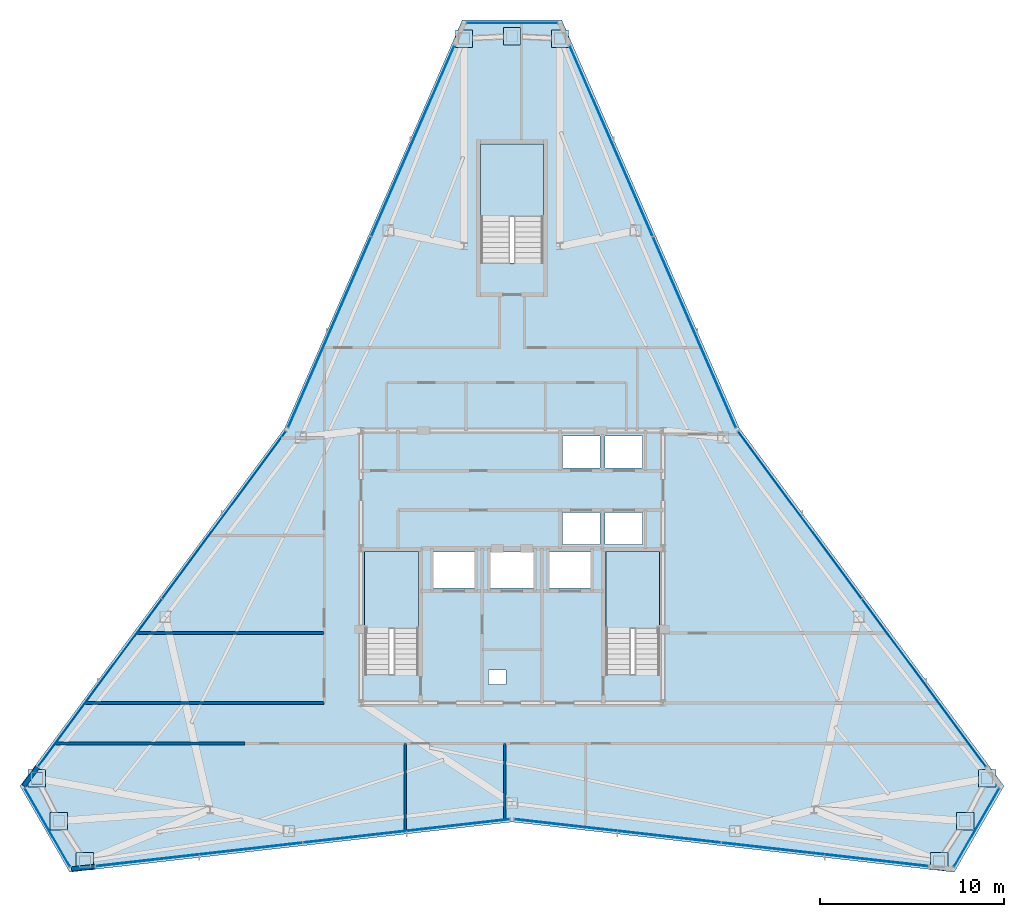
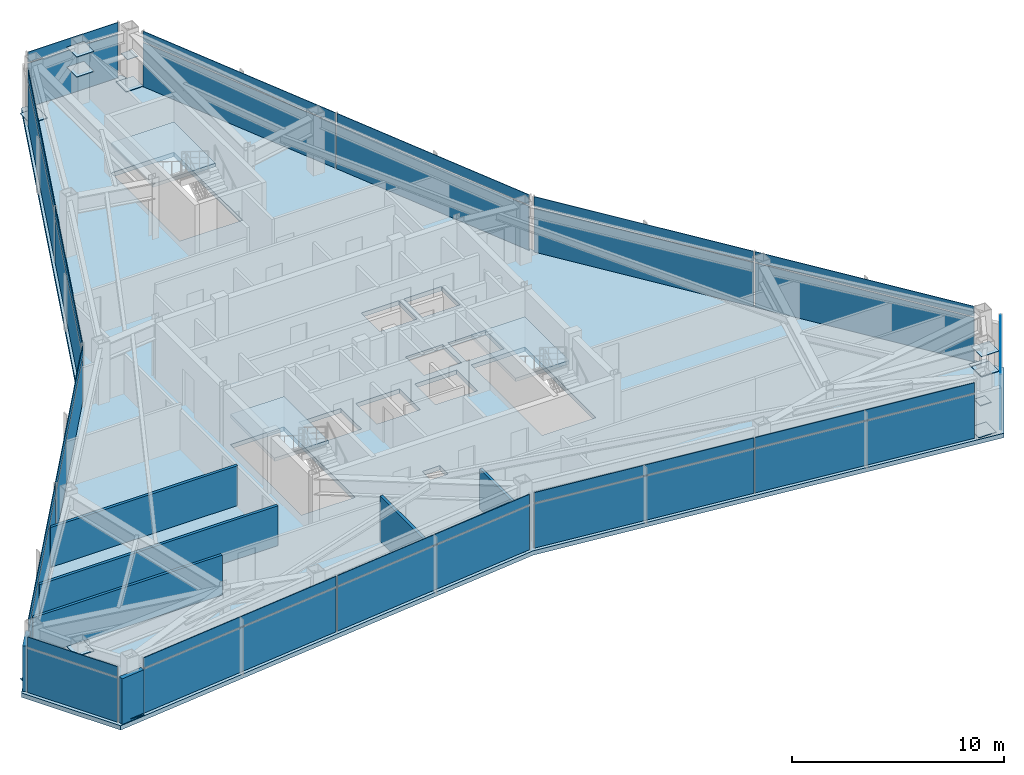
# One storey, part 8 of 12: 45 plates, 7 walls, 4 slabs, 12 elements without a shape of their own.
"""IFC4 building model written with IfcOpenShell, lengths in metres."""

import ifcopenshell
import ifcopenshell.guid

model = None  # the IFC model being written
_history = None  # IfcOwnerHistory: only IFC2X3 demands one
_inside = {}  # id of a spatial element -> (the spatial element, [elements in it])
_under = {}  # id of a project, library or spatial element -> (it, [spatial elements below it])
_declared = {}  # id of a project -> (the project, [libraries it declares])
_typed = {}  # id of a type object -> (the type object, [elements of that type])
_made_of = {}  # id of a material, layer set ... -> (it, [elements and type objects made of it])


def new_model(schema):
    """Start an empty IFC model of exactly this schema.

    Asked for "IFC4X3", IfcOpenShell would pick the latest addendum, in which some entities
    have other attributes; the version numbers below select the first issue.
    IFC2X3 requires an IfcOwnerHistory on every rooted entity: one is made here for all.
    """
    global model, _history
    if schema == "IFC4X3":
        model = ifcopenshell.file(schema_version=(4, 3, 0, 0))
    else:
        model = ifcopenshell.file(schema=schema)
    _inside.clear()
    _under.clear()
    _declared.clear()
    _typed.clear()
    _made_of.clear()
    _history = None
    if model.schema == "IFC2X3":
        org = make("IfcOrganization", Name="unknown")
        user = make(
            "IfcPersonAndOrganization",
            ThePerson=make("IfcPerson", FamilyName="unknown"),
            TheOrganization=org,
        )
        app = make(
            "IfcApplication",
            ApplicationDeveloper=org,
            Version="unknown",
            ApplicationFullName="unknown",
            ApplicationIdentifier="unknown",
        )
        _history = make(
            "IfcOwnerHistory",
            OwningUser=user,
            OwningApplication=app,
            ChangeAction="ADDED",
            CreationDate=0,
        )
    return model


def make(cls, **values):
    """One entity of the class cls with the attributes given. An attribute that is None is left unset."""
    return model.create_entity(
        cls, **{name: value for name, value in values.items() if value is not None}
    )


def rooted(cls, **values):
    """An entity with a GlobalId (a new one), such as an element, a storey or a relation."""
    return make(cls, GlobalId=ifcopenshell.guid.new(), OwnerHistory=_history, **values)


def si_unit(unit_type, name, prefix=None):
    """IfcSIUnit, for example si_unit("LENGTHUNIT", "METRE", prefix="MILLI")."""
    return make("IfcSIUnit", UnitType=unit_type, Prefix=prefix, Name=name)


def assignment(units):
    """IfcUnitAssignment: the units of a project."""
    return None if units is None else make("IfcUnitAssignment", Units=units)


def point(xyz):
    """IfcCartesianPoint."""
    return None if xyz is None else make("IfcCartesianPoint", Coordinates=xyz)


def direction(xyz):
    """IfcDirection."""
    return None if xyz is None else make("IfcDirection", DirectionRatios=xyz)


def frame(location, z_axis=None, x_axis=None):
    """IfcAxis2Placement3D, a coordinate frame: its origin and axes. An axis left out is left unset."""
    return make(
        "IfcAxis2Placement3D",
        Location=point(location),
        Axis=direction(z_axis),
        RefDirection=direction(x_axis),
    )


def frame_2d(location, x_axis=None):
    """IfcAxis2Placement2D, a coordinate frame in the plane: its origin and x axis."""
    return make(
        "IfcAxis2Placement2D", Location=point(location), RefDirection=direction(x_axis)
    )


def origin():
    """The frame at (0, 0, 0) with its axes left unset."""
    return frame((0.0, 0.0, 0.0))


def origin_2d():
    """The frame at (0, 0) in the plane with its x axis left unset."""
    return frame_2d((0.0, 0.0))


def place(relative_to, where):
    """IfcLocalPlacement: puts the frame where relative to a parent placement (None: the world)."""
    return make(
        "IfcLocalPlacement", PlacementRelTo=relative_to, RelativePlacement=where
    )


def context(
    kind, dimensions, precision=None, world=None, true_north=None, identifier=None
):
    """IfcGeometricRepresentationContext, for example the 3D "Model" context."""
    return make(
        "IfcGeometricRepresentationContext",
        ContextIdentifier=identifier,
        ContextType=kind,
        CoordinateSpaceDimension=dimensions,
        Precision=precision,
        WorldCoordinateSystem=world,
        TrueNorth=true_north,
    )


def subcontext(parent, identifier, kind, view, scale=None):
    """IfcGeometricRepresentationSubContext, for example "Body" below "Model"."""
    return make(
        "IfcGeometricRepresentationSubContext",
        ContextIdentifier=identifier,
        ContextType=kind,
        ParentContext=parent,
        TargetScale=scale,
        TargetView=view,
    )


def project(units=None, contexts=None):
    """IfcProject with its units and contexts."""
    return rooted(
        "IfcProject",
        Name="project",
        RepresentationContexts=contexts,
        UnitsInContext=assignment(units),
    )


def spatial(cls, under=None, at=None, **own):
    """A site, building, storey or space (cls), placed at a placement, below another one or the project."""
    s = rooted(cls, ObjectPlacement=at, **own)
    if under is not None:
        _under.setdefault(under.id(), (under, []))[1].append(s)
    return s


def polyline(points):
    """IfcPolyline through the points."""
    return make("IfcPolyline", Points=[point(p) for p in points])


def profile(cls, at=None, kind="AREA", **sizes):
    """A parametric profile (cls). Its sizes go by their IFC names, for example OverallWidth=200.0."""
    return make(cls, ProfileType=kind, Position=at, **sizes)


def rectangle(**sizes):
    """IfcRectangleProfileDef."""
    return profile("IfcRectangleProfileDef", **sizes)


def outline(outer, holes=None, kind="AREA"):
    """IfcArbitraryClosedProfileDef: a profile drawn as a closed curve; with holes, ...WithVoids."""
    if holes is None:
        return make("IfcArbitraryClosedProfileDef", ProfileType=kind, OuterCurve=outer)
    return make(
        "IfcArbitraryProfileDefWithVoids",
        ProfileType=kind,
        OuterCurve=outer,
        InnerCurves=holes,
    )


def extrude(swept, where, along, depth):
    """IfcExtrudedAreaSolid: the profile swept, set in the frame where, extruded along a direction by depth."""
    return make(
        "IfcExtrudedAreaSolid",
        SweptArea=swept,
        Position=where,
        ExtrudedDirection=direction(along),
        Depth=depth,
    )


def shape(context_of_items, identifier, shape_type, items):
    """IfcShapeRepresentation: the items that make up one representation, for example the "Body"."""
    return make(
        "IfcShapeRepresentation",
        ContextOfItems=context_of_items,
        RepresentationIdentifier=identifier,
        RepresentationType=shape_type,
        Items=items,
    )


def source(mapping_origin, context_of_items, identifier, shape_type, items):
    """IfcRepresentationMap: a shape defined once, which mapped items show again and again."""
    return make(
        "IfcRepresentationMap",
        MappingOrigin=mapping_origin,
        MappedRepresentation=shape(context_of_items, identifier, shape_type, items),
    )


def transform(
    local_origin,
    x_axis=None,
    y_axis=None,
    z_axis=None,
    scale=None,
    scale2=None,
    scale3=None,
    uniform=True,
):
    """IfcCartesianTransformationOperator3D, or its non-uniform kind. x_axis, y_axis, z_axis: its Axis1, 2, 3."""
    if uniform:
        return make(
            "IfcCartesianTransformationOperator3D",
            Axis1=direction(x_axis),
            Axis2=direction(y_axis),
            LocalOrigin=point(local_origin),
            Scale=scale,
            Axis3=direction(z_axis),
        )
    return make(
        "IfcCartesianTransformationOperator3DnonUniform",
        Axis1=direction(x_axis),
        Axis2=direction(y_axis),
        LocalOrigin=point(local_origin),
        Scale=scale,
        Axis3=direction(z_axis),
        Scale2=scale2,
        Scale3=scale3,
    )


def mapped(mapping_source, mapping_target):
    """IfcMappedItem: shows the shape of a source again, moved by a transform."""
    return make(
        "IfcMappedItem", MappingSource=mapping_source, MappingTarget=mapping_target
    )


def material(Name=None, Category=None):
    """IfcMaterial."""
    return make("IfcMaterial", Name=Name, Category=Category)


def layer(
    of_material, thickness, ventilated=None, Name=None, Category=None, Priority=None
):
    """IfcMaterialLayer: one layer of a wall or slab, of a material (None: an air gap)."""
    return make(
        "IfcMaterialLayer",
        Material=of_material,
        LayerThickness=thickness,
        IsVentilated=ventilated,
        Name=Name,
        Category=Category,
        Priority=Priority,
    )


def layer_set(layers, Name=None):
    """IfcMaterialLayerSet."""
    return make("IfcMaterialLayerSet", MaterialLayers=layers, LayerSetName=Name)


def made_of(thing, what):
    """Note that an element or type object is made of a material, layer set ...; save() writes the relation."""
    if what is not None:
        _made_of.setdefault(what.id(), (what, []))[1].append(thing)
    return thing


def type_object(cls, material=None, **own):
    """A type object (cls), such as IfcWallType, which elements share."""
    return made_of(rooted(cls, **own), material)


def type_shapes(of_type, sources):
    """Give a type object the sources (RepresentationMaps) that its elements show as mapped items."""
    of_type.RepresentationMaps = sources


def element(
    cls,
    number,
    at=None,
    inside=None,
    cuts=None,
    type_object=None,
    material=None,
    context=None,
    identifier="Body",
    shape_type=None,
    held_by="IfcProductDefinitionShape",
    body=None,
    shapes=None,
    **own,
):
    """One element of the class cls, such as IfcWall. Its Tag is "e" and its number.

    at: its placement. inside: the storey or other place that contains it. cuts: it is an
    opening in that element (IfcRelVoidsElement). A single representation is given by context,
    identifier, shape_type and body (its items); several are given by shapes. held_by: the class
    of the entity that holds the representations. save() writes the other relations.
    """
    e = rooted(cls, Tag="e%d" % number, ObjectPlacement=at, **own)
    if body is not None:
        shapes = [shape(context, identifier, shape_type, body)]
    if shapes is not None:
        e.Representation = make(held_by, Representations=shapes)
    if inside is not None:
        _inside.setdefault(inside.id(), (inside, []))[1].append(e)
    if cuts is not None:
        rooted(
            "IfcRelVoidsElement", RelatingBuildingElement=cuts, RelatedOpeningElement=e
        )
    if type_object is not None:
        _typed.setdefault(type_object.id(), (type_object, []))[1].append(e)
    return made_of(e, material)


def aggregate(whole, parts):
    """IfcRelAggregates: a whole, such as a stair, and the parts it consists of."""
    return rooted("IfcRelAggregates", RelatingObject=whole, RelatedObjects=parts)


def save(model, path):
    """Write the relations noted so far, then the file.

    IfcRelAggregates (storeys below a building ...), IfcRelContainedInSpatialStructure (elements
    in a storey), IfcRelDefinesByType, IfcRelAssociatesMaterial and IfcRelDeclares: one each for
    every whole, place, type object, material and project.
    """
    for whole, parts in _under.values():
        aggregate(whole, parts)
    for where, things in _inside.values():
        rooted(
            "IfcRelContainedInSpatialStructure",
            RelatedElements=things,
            RelatingStructure=where,
        )
    for kind, things in _typed.values():
        rooted("IfcRelDefinesByType", RelatedObjects=things, RelatingType=kind)
    for what, things in _made_of.values():
        rooted("IfcRelAssociatesMaterial", RelatedObjects=things, RelatingMaterial=what)
    for by, libraries in _declared.values():
        rooted("IfcRelDeclares", RelatingContext=by, RelatedDefinitions=libraries)
    model.write(path)


model = new_model("IFC4")

# Units and contexts
model_context = context("Model", 3, precision=1e-05, world=origin(), true_north=direction((0.0, 1.0)))
body_context = subcontext(model_context, "Body", "Model", "MODEL_VIEW")
ifc_project = project(units=[si_unit("LENGTHUNIT", "METRE"), si_unit("AREAUNIT", "SQUARE_METRE"), si_unit("VOLUMEUNIT", "CUBIC_METRE"), si_unit("PLANEANGLEUNIT", "RADIAN"), si_unit("MASSUNIT", "GRAM", prefix="KILO")], contexts=[model_context])

# Site, building, storey
site_placement = place(None, origin())
site = spatial("IfcSite", under=ifc_project, at=site_placement, CompositionType="ELEMENT")
building_placement = place(site_placement, origin())
building = spatial("IfcBuilding", under=site, at=building_placement, Name="Varakhsha Concourse Tower", CompositionType="ELEMENT")
storey_placement = place(building_placement, frame((0.0, 0.0, 276.0)))
storey = spatial("IfcBuildingStorey", under=building, at=storey_placement, Name="L78", CompositionType="ELEMENT", Elevation=276.0)

# Slab
ifc_material_1 = material(Name="Concrete fc 45 MPa", Category="concrete")
ifc_layer_1 = layer(ifc_material_1, 0.25, Name="SL-FLR-250")
ifc_layer_set_1 = layer_set([ifc_layer_1], Name="Concrete fc 45 MPa")
slab_type_1 = type_object("IfcSlabType", Name="SL-FLR-250", PredefinedType="FLOOR", material=ifc_layer_set_1)
slab_1_placement = place(storey_placement, frame((0.0, 0.0, -0.25)))
element("IfcSlab", 1, at=slab_1_placement, inside=storey, type_object=slab_type_1, Name="L78 Composite Structural Slab", PredefinedType="FLOOR", context=body_context, shape_type="SweptSolid", body=[
    extrude(outline(polyline([(42.699951171875, 53.496826171875), (37.300048828125, 53.496826171875), (27.651611328125, 31.329345703125), (13.2783203125, 11.889892578125), (15.978271484375, 7.21337890625), (40.0, 9.94140625), (64.021728515625, 7.21337890625), (66.7216796875, 11.889892578125), (52.348388671875, 31.329345703125), (42.699951171875, 53.496826171875)]), holes=[polyline([(34.919921875, 17.93994140625), (34.919921875, 24.6298828125), (32.0, 24.6298828125), (32.0, 17.93994140625), (34.919921875, 17.93994140625)]), polyline([(48.02001953125, 17.93994140625), (48.02001953125, 24.6298828125), (45.10009765625, 24.6298828125), (45.10009765625, 17.93994140625), (48.02001953125, 17.93994140625)]), polyline([(41.699951171875, 40.300048828125), (41.699951171875, 46.75), (38.300048828125, 46.75), (38.300048828125, 40.300048828125), (41.699951171875, 40.300048828125)]), polyline([(42.739990234375, 29.159912109375), (44.780029296875, 29.159912109375), (44.780029296875, 30.89990234375), (42.739990234375, 30.89990234375), (42.739990234375, 29.159912109375)]), polyline([(45.06005859375, 29.159912109375), (47.10009765625, 29.159912109375), (47.10009765625, 30.89990234375), (45.06005859375, 30.89990234375), (45.06005859375, 29.159912109375)]), polyline([(42.739990234375, 25.0), (44.780029296875, 25.0), (44.780029296875, 26.739990234375), (42.739990234375, 26.739990234375), (42.739990234375, 25.0)]), polyline([(45.06005859375, 25.0), (47.10009765625, 25.0), (47.10009765625, 26.739990234375), (45.06005859375, 26.739990234375), (45.06005859375, 25.0)]), polyline([(35.7099609375, 22.639892578125), (37.989990234375, 22.639892578125), (37.989990234375, 24.60009765625), (35.7099609375, 24.60009765625), (35.7099609375, 22.639892578125)]), polyline([(42.010009765625, 22.639892578125), (44.2900390625, 22.639892578125), (44.2900390625, 24.60009765625), (42.010009765625, 24.60009765625), (42.010009765625, 22.639892578125)]), polyline([(38.81005859375, 22.639892578125), (41.18994140625, 22.639892578125), (41.18994140625, 24.60009765625), (38.81005859375, 24.60009765625), (38.81005859375, 22.639892578125)]), polyline([(38.719970703125, 17.39990234375), (39.679931640625, 17.39990234375), (39.679931640625, 18.199951171875), (38.719970703125, 18.199951171875), (38.719970703125, 17.39990234375)])]), origin(), (0.0, 0.0, 1.0), 0.25),
])

# Stair, slab
stair_type_1 = type_object("IfcStairType", Name="ST-DOGLEG-1360", PredefinedType="HALF_TURN_STAIR", material=ifc_material_1)
stair_1_placement = place(storey_placement, origin())
stair_1 = element("IfcStair", 2, at=stair_1_placement, inside=storey, type_object=stair_type_1, Name="L78 Protected Exit Stair ST1", PredefinedType="HALF_TURN_STAIR")
ifc_layer_2 = layer(ifc_material_1, 0.199951171875, Name="SL-LAND-200")
ifc_layer_set_2 = layer_set([ifc_layer_2], Name="Concrete fc 45 MPa")
slab_type_2 = type_object("IfcSlabType", Name="SL-LAND-200", PredefinedType="LANDING", material=ifc_layer_set_2)
slab_2_placement = place(storey_placement, frame((0.0, 0.0, 1.550048828125)))
slab_2 = element("IfcSlab", 3, at=slab_2_placement, type_object=slab_type_2, Name="ST1 landing 1", PredefinedType="LANDING", context=body_context, shape_type="SweptSolid", body=[
    extrude(outline(polyline([(34.919921875, 20.4599609375), (34.919921875, 24.6298828125), (32.0, 24.6298828125), (32.0, 20.4599609375), (34.919921875, 20.4599609375)])), origin(), (0.0, 0.0, 1.0), 0.199951171875),
])
aggregate(stair_1, [slab_2])

stair_2_placement = place(storey_placement, origin())
stair_2 = element("IfcStair", 4, at=stair_2_placement, inside=storey, type_object=stair_type_1, Name="L78 Protected Exit Stair ST2", PredefinedType="HALF_TURN_STAIR")
slab_3_placement = place(storey_placement, frame((0.0, 0.0, 1.550048828125)))
slab_3 = element("IfcSlab", 5, at=slab_3_placement, type_object=slab_type_2, Name="ST2 landing 1", PredefinedType="LANDING", context=body_context, shape_type="SweptSolid", body=[
    extrude(outline(polyline([(48.02001953125, 20.4599609375), (48.02001953125, 24.6298828125), (45.10009765625, 24.6298828125), (45.10009765625, 20.4599609375), (48.02001953125, 20.4599609375)])), origin(), (0.0, 0.0, 1.0), 0.199951171875),
])
aggregate(stair_2, [slab_3])

stair_type_2 = type_object("IfcStairType", Name="ST-DOGLEG-1600", PredefinedType="HALF_TURN_STAIR", material=ifc_material_1)
stair_3_placement = place(storey_placement, origin())
stair_3 = element("IfcStair", 6, at=stair_3_placement, inside=storey, type_object=stair_type_2, Name="L78 Protected Exit Stair ST5", PredefinedType="HALF_TURN_STAIR")
slab_4_placement = place(storey_placement, frame((0.0, 0.0, 1.550048828125)))
slab_4 = element("IfcSlab", 7, at=slab_4_placement, type_object=slab_type_2, Name="ST5 landing 1", PredefinedType="LANDING", context=body_context, shape_type="SweptSolid", body=[
    extrude(outline(polyline([(41.699951171875, 42.820068359375), (41.699951171875, 46.75), (38.300048828125, 46.75), (38.300048828125, 42.820068359375), (41.699951171875, 42.820068359375)])), origin(), (0.0, 0.0, 1.0), 0.199951171875),
])
aggregate(stair_3, [slab_4])

# Plates
ifc_material_2 = material(Name="Structural Steel ASTM A572 Grade 50", Category="steel")
ifc_layer_3 = layer(ifc_material_2, 0.030029296875, Name="PL-ENDCAP-950")
ifc_layer_set_3 = layer_set([ifc_layer_3], Name="Structural Steel ASTM A572 Grade 50")
plate_type_1 = type_object("IfcPlateType", Name="PL-ENDCAP-950", PredefinedType="USERDEFINED", material=ifc_layer_set_3)
shared_shape_1 = source(origin(), body_context, "Body", "SweptSolid", [
    extrude(rectangle(XDim=0.949951171875, YDim=0.949951171875, at=origin_2d()), origin(), (0.0, 0.0, 1.0), 0.030029296875),
])
type_shapes(plate_type_1, [shared_shape_1])
for number, where, z_axis, x_axis, name in (
    (8, (42.607177734375, 52.489013671875, 0.10498046875), (0.0, 0.0, 1.0), (1.0, 0.0, 0.0), "Hollow Section End Cap GP-NODE-L78-0826"),
    (9, (40.0, 52.61669921875, 2.93505859375), (0.0, 0.0, 1.0), (1.0, 0.0, 0.0), "Hollow Section End Cap GP-NODE-L78-0827"),
    (10, (37.392822265625, 52.489013671875, 0.10498046875), (0.0, 0.0, 1.0), (1.0, 0.0, 0.0), "Hollow Section End Cap GP-NODE-L78-0828"),
    (11, (14.197509765625, 12.313232421875, 0.10498046875), (0.0, 0.0, 1.0), (1.0, 0.0, 0.0), "Hollow Section End Cap GP-NODE-L78-0829"),
    (12, (15.390380859375, 9.99169921875, 2.93505859375), (0.0, 0.0, 1.0), (1.0, 0.0, 0.0), "Hollow Section End Cap GP-NODE-L78-0830"),
    (13, (16.8046875, 7.797607421875, 0.10498046875), (0.0, 0.0, 1.0), (1.0, 0.0, 0.0), "Hollow Section End Cap GP-NODE-L78-0831"),
    (14, (63.1953125, 7.797607421875, 0.10498046875), (0.0, 0.0, 1.0), (1.0, 0.0, 0.0), "Hollow Section End Cap GP-NODE-L78-0832"),
    (15, (64.609619140625, 9.99169921875, 2.93505859375), (0.0, 0.0, 1.0), (1.0, 0.0, 0.0), "Hollow Section End Cap GP-NODE-L78-0833"),
    (16, (65.802490234375, 12.313232421875, 0.10498046875), (0.0, 0.0, 1.0), (1.0, 0.0, 0.0), "Hollow Section End Cap GP-NODE-L78-0834"),
    (17, (40.0, 52.61669921875, 1.78515625), (0.0, 0.0, 1.0), (1.0, 0.0, 0.0), "Hollow Section End Cap GP-NODE-L78-0835"),
    (18, (15.390380859375, 9.99169921875, 1.78515625), (0.0, 0.0, 1.0), (1.0, 0.0, 0.0), "Hollow Section End Cap GP-NODE-L78-0836"),
    (19, (64.609619140625, 9.99169921875, 1.78515625), (0.0, 0.0, 1.0), (1.0, 0.0, 0.0), "Hollow Section End Cap GP-NODE-L78-0837"),
):
    element("IfcPlate", number, at=place(storey_placement, frame(where, z_axis=z_axis, x_axis=x_axis)), inside=storey, type_object=plate_type_1, Name=name, ObjectType="END PLATE", PredefinedType="USERDEFINED", context=body_context, shape_type="MappedRepresentation", body=[
        mapped(shared_shape_1, transform((0.0, 0.0, 0.0), scale=1.0)),
    ])
ifc_layer_4 = layer(ifc_material_2, 0.030029296875, Name="PL-BASE-600")
ifc_layer_set_4 = layer_set([ifc_layer_4], Name="Structural Steel ASTM A572 Grade 50")
plate_type_2 = type_object("IfcPlateType", Name="PL-BASE-600", PredefinedType="SHEET", material=ifc_layer_set_4)
shared_shape_2 = source(origin(), body_context, "Body", "SweptSolid", [
    extrude(rectangle(XDim=0.60009765625, YDim=0.60009765625, at=origin_2d()), origin(), (0.0, 0.0, 1.0), 0.030029296875),
])
type_shapes(plate_type_2, [shared_shape_2])
for number, where, z_axis, x_axis, name in (
    (20, (42.607177734375, 52.489013671875, 1.78515625), (0.0, 0.0, 1.0), (1.0, 0.0, 0.0), "Hollow Section End Cap BP-WTIE-L78-1"),
    (21, (14.197509765625, 12.313232421875, 1.78515625), (0.0, 0.0, 1.0), (1.0, 0.0, 0.0), "Hollow Section End Cap BP-WTIE-L78-2"),
    (22, (63.1953125, 7.797607421875, 1.78515625), (0.0, 0.0, 1.0), (1.0, 0.0, 0.0), "Hollow Section End Cap BP-WTIE-L78-3"),
):
    element("IfcPlate", number, at=place(storey_placement, frame(where, z_axis=z_axis, x_axis=x_axis)), inside=storey, type_object=plate_type_2, Name=name, PredefinedType="SHEET", context=body_context, shape_type="MappedRepresentation", body=[
        mapped(shared_shape_2, transform((0.0, 0.0, 0.0), scale=1.0)),
    ])

# Curtain wall, plate
ifc_material_3 = material(Name="Anodised Bronze Architectural Aluminium AA 6063-T6", Category="aluminium")
ifc_layer_5 = layer(ifc_material_3, 0.199951171875, Name="CW-SYS-05")
ifc_layer_set_5 = layer_set([ifc_layer_5], Name="Anodised Bronze Architectural Aluminium AA 6063-T6")
curtain_wall_type = type_object("IfcCurtainWallType", Name="CW-SYS-05", PredefinedType="NOTDEFINED", material=ifc_layer_set_5)
curtain_wall_1_placement = place(storey_placement, origin())
curtain_wall_1 = element("IfcCurtainWall", 23, at=curtain_wall_1_placement, inside=storey, type_object=curtain_wall_type, Name="L78 Chamfer Curtain Wall F1", PredefinedType="NOTDEFINED")
ifc_material_4 = material(Name="Insulated Anodised Bronze Aluminium Spandrel 36 mm", Category="aluminium")
ifc_layer_6 = layer(ifc_material_4, 0.035888671875, Name="CWP-SPN-36")
ifc_layer_set_6 = layer_set([ifc_layer_6], Name="Insulated Anodised Bronze Aluminium Spandrel 36 mm")
plate_type_3 = type_object("IfcPlateType", Name="CWP-SPN-36", PredefinedType="USERDEFINED", material=ifc_layer_set_6)
shared_shape_3 = source(origin(), body_context, "Body", "SweptSolid", [
    extrude(rectangle(XDim=4.89111328125, YDim=0.035888671875, at=origin_2d()), origin(), (0.0, 0.0, 1.0), 2.535888671875),
])
plate_1_placement = place(storey_placement, frame((40.0, 53.3369140625, 0.0322265625), z_axis=(0.0, 0.0, 1.0), x_axis=(1.0, 0.0, 0.0)))
plate_1 = element("IfcPlate", 24, at=plate_1_placement, type_object=plate_type_3, Name="CW-L78-F1 Panel 00-00", ObjectType="SPANDREL", PredefinedType="USERDEFINED", context=body_context, shape_type="MappedRepresentation", body=[
    mapped(shared_shape_3, transform((0.0, 0.0, 0.0), scale=1.0)),
])

curtain_wall_2_placement = place(storey_placement, origin())
curtain_wall_2 = element("IfcCurtainWall", 25, at=curtain_wall_2_placement, inside=storey, type_object=curtain_wall_type, Name="L78 Chamfer Curtain Wall F4", PredefinedType="NOTDEFINED")
plate_2_placement = place(storey_placement, frame((14.766845703125, 9.631591796875, 0.0322265625), z_axis=(0.0, 0.0, 1.0), x_axis=(-0.499989419466, 0.866031512372, 0.0)))
plate_2 = element("IfcPlate", 26, at=plate_2_placement, type_object=plate_type_3, Name="CW-L78-F4 Panel 00-00", ObjectType="SPANDREL", PredefinedType="USERDEFINED", context=body_context, shape_type="MappedRepresentation", body=[
    mapped(shared_shape_3, transform((0.0, 0.0, 0.0), scale=1.0)),
])

curtain_wall_3_placement = place(storey_placement, origin())
curtain_wall_3 = element("IfcCurtainWall", 27, at=curtain_wall_3_placement, inside=storey, type_object=curtain_wall_type, Name="L78 Chamfer Curtain Wall F7", PredefinedType="NOTDEFINED")
plate_3_placement = place(storey_placement, frame((65.233154296875, 9.631591796875, 0.0322265625), z_axis=(0.0, 0.0, 1.0), x_axis=(-0.499989419466, -0.866031512372, 0.0)))
plate_3 = element("IfcPlate", 28, at=plate_3_placement, type_object=plate_type_3, Name="CW-L78-F7 Panel 00-00", ObjectType="SPANDREL", PredefinedType="USERDEFINED", context=body_context, shape_type="MappedRepresentation", body=[
    mapped(shared_shape_3, transform((0.0, 0.0, 0.0), scale=1.0)),
])

# Plate
shared_shape_4 = source(origin(), body_context, "Body", "SweptSolid", [
    extrude(rectangle(XDim=4.89111328125, YDim=0.035888671875, at=origin_2d()), origin(), (0.0, 0.0, 1.0), 0.5859375),
])
plate_4_placement = place(storey_placement, frame((40.0, 53.3369140625, 2.632080078125), z_axis=(0.0, 0.0, 1.0), x_axis=(1.0, 0.0, 0.0)))
plate_4 = element("IfcPlate", 29, at=plate_4_placement, type_object=plate_type_3, Name="CW-L78-F1 Panel 00-01", ObjectType="SPANDREL", PredefinedType="USERDEFINED", context=body_context, shape_type="MappedRepresentation", body=[
    mapped(shared_shape_4, transform((0.0, 0.0, 0.0), scale=1.0)),
])

aggregate(curtain_wall_1, [plate_1, plate_4])

plate_5_placement = place(storey_placement, frame((14.766845703125, 9.631591796875, 2.632080078125), z_axis=(0.0, 0.0, 1.0), x_axis=(-0.499989419466, 0.866031512372, 0.0)))
plate_5 = element("IfcPlate", 30, at=plate_5_placement, type_object=plate_type_3, Name="CW-L78-F4 Panel 00-01", ObjectType="SPANDREL", PredefinedType="USERDEFINED", context=body_context, shape_type="MappedRepresentation", body=[
    mapped(shared_shape_4, transform((0.0, 0.0, 0.0), scale=1.0)),
])

aggregate(curtain_wall_2, [plate_2, plate_5])

plate_6_placement = place(storey_placement, frame((65.233154296875, 9.631591796875, 2.632080078125), z_axis=(0.0, 0.0, 1.0), x_axis=(-0.499989419466, -0.866031512372, 0.0)))
plate_6 = element("IfcPlate", 31, at=plate_6_placement, type_object=plate_type_3, Name="CW-L78-F7 Panel 00-01", ObjectType="SPANDREL", PredefinedType="USERDEFINED", context=body_context, shape_type="MappedRepresentation", body=[
    mapped(shared_shape_4, transform((0.0, 0.0, 0.0), scale=1.0)),
])

aggregate(curtain_wall_3, [plate_3, plate_6])

# Curtain wall, plates
curtain_wall_4_placement = place(storey_placement, origin())
curtain_wall_4 = element("IfcCurtainWall", 32, at=curtain_wall_4_placement, inside=storey, type_object=curtain_wall_type, Name="L78 Crystal Curtain Wall F2", PredefinedType="NOTDEFINED")
ifc_material_5 = material(Name="Low-E Triple Insulating Glass IGU 44 mm", Category="glass")
ifc_layer_7 = layer(ifc_material_5, 0.0439453125, Name="CWP-IGU-44")
ifc_layer_set_7 = layer_set([ifc_layer_7], Name="Low-E Triple Insulating Glass IGU 44 mm")
plate_type_4 = type_object("IfcPlateType", Name="CWP-IGU-44", PredefinedType="CURTAIN_PANEL", material=ifc_layer_set_7)
shared_shape_5 = source(origin(), body_context, "Body", "SweptSolid", [
    extrude(rectangle(XDim=11.26904296875, YDim=0.0439453125, at=origin_2d()), origin(), (0.0, 0.0, 1.0), 2.535888671875),
])
type_shapes(plate_type_4, [shared_shape_5])
plate_7_placement = place(storey_placement, frame((30.0927734375, 36.536865234375, 0.0322265625), z_axis=(0.0, 0.0, 1.0), x_axis=(0.39908356189, 0.916914560158, 0.0)))
plate_7 = element("IfcPlate", 33, at=plate_7_placement, type_object=plate_type_4, Name="CW-L78-F2 Panel 00-00", PredefinedType="CURTAIN_PANEL", context=body_context, shape_type="MappedRepresentation", body=[
    mapped(shared_shape_5, transform((0.0, 0.0, 0.0), scale=1.0)),
])
plate_8_placement = place(storey_placement, frame((34.61767578125, 46.932861328125, 0.0322265625), z_axis=(0.0, 0.0, 1.0), x_axis=(0.39908356189, 0.916914560158, 0.0)))
plate_8 = element("IfcPlate", 34, at=plate_8_placement, type_object=plate_type_4, Name="CW-L78-F2 Panel 01-00", PredefinedType="CURTAIN_PANEL", context=body_context, shape_type="MappedRepresentation", body=[
    mapped(shared_shape_5, transform((0.0, 0.0, 0.0), scale=1.0)),
])

curtain_wall_5_placement = place(storey_placement, origin())
curtain_wall_5 = element("IfcCurtainWall", 35, at=curtain_wall_5_placement, inside=storey, type_object=curtain_wall_type, Name="L78 Crystal Curtain Wall F3", PredefinedType="NOTDEFINED")
plate_9_placement = place(storey_placement, frame((17.62158203125, 17.494873046875, 0.0322265625), z_axis=(0.0, 0.0, 1.0), x_axis=(0.594533731364, 0.804070669948, 0.0)))
plate_9 = element("IfcPlate", 36, at=plate_9_placement, type_object=plate_type_4, Name="CW-L78-F3 Panel 00-00", PredefinedType="CURTAIN_PANEL", context=body_context, shape_type="MappedRepresentation", body=[
    mapped(shared_shape_5, transform((0.0, 0.0, 0.0), scale=1.0)),
])
plate_10_placement = place(storey_placement, frame((24.3623046875, 26.611572265625, 0.0322265625), z_axis=(0.0, 0.0, 1.0), x_axis=(0.594533731364, 0.804070669948, 0.0)))
plate_10 = element("IfcPlate", 37, at=plate_10_placement, type_object=plate_type_4, Name="CW-L78-F3 Panel 01-00", PredefinedType="CURTAIN_PANEL", context=body_context, shape_type="MappedRepresentation", body=[
    mapped(shared_shape_5, transform((0.0, 0.0, 0.0), scale=1.0)),
])

curtain_wall_6_placement = place(storey_placement, origin())
curtain_wall_6 = element("IfcCurtainWall", 38, at=curtain_wall_6_placement, inside=storey, type_object=curtain_wall_type, Name="L78 Crystal Curtain Wall F5", PredefinedType="NOTDEFINED")
plate_11_placement = place(storey_placement, frame((34.269775390625, 9.45166015625, 0.0322265625), z_axis=(0.0, 0.0, 1.0), x_axis=(-0.993612689247, -0.112844245613, 0.0)))
plate_11 = element("IfcPlate", 39, at=plate_11_placement, type_object=plate_type_4, Name="CW-L78-F5 Panel 00-00", PredefinedType="CURTAIN_PANEL", context=body_context, shape_type="MappedRepresentation", body=[
    mapped(shared_shape_5, transform((0.0, 0.0, 0.0), scale=1.0)),
])
plate_12_placement = place(storey_placement, frame((23.00390625, 8.172119140625, 0.0322265625), z_axis=(0.0, 0.0, 1.0), x_axis=(-0.993612689247, -0.112844245613, 0.0)))
plate_12 = element("IfcPlate", 40, at=plate_12_placement, type_object=plate_type_4, Name="CW-L78-F5 Panel 01-00", PredefinedType="CURTAIN_PANEL", context=body_context, shape_type="MappedRepresentation", body=[
    mapped(shared_shape_5, transform((0.0, 0.0, 0.0), scale=1.0)),
])

curtain_wall_7_placement = place(storey_placement, origin())
curtain_wall_7 = element("IfcCurtainWall", 41, at=curtain_wall_7_placement, inside=storey, type_object=curtain_wall_type, Name="L78 Crystal Curtain Wall F6", PredefinedType="NOTDEFINED")
plate_13_placement = place(storey_placement, frame((56.99609375, 8.172119140625, 0.0322265625), z_axis=(0.0, 0.0, 1.0), x_axis=(-0.993612689247, 0.112844245613, 0.0)))
plate_13 = element("IfcPlate", 42, at=plate_13_placement, type_object=plate_type_4, Name="CW-L78-F6 Panel 00-00", PredefinedType="CURTAIN_PANEL", context=body_context, shape_type="MappedRepresentation", body=[
    mapped(shared_shape_5, transform((0.0, 0.0, 0.0), scale=1.0)),
])
plate_14_placement = place(storey_placement, frame((45.73046875, 9.45166015625, 0.0322265625), z_axis=(0.0, 0.0, 1.0), x_axis=(-0.993612689247, 0.112844245613, 0.0)))
plate_14 = element("IfcPlate", 43, at=plate_14_placement, type_object=plate_type_4, Name="CW-L78-F6 Panel 01-00", PredefinedType="CURTAIN_PANEL", context=body_context, shape_type="MappedRepresentation", body=[
    mapped(shared_shape_5, transform((0.0, 0.0, 0.0), scale=1.0)),
])

curtain_wall_8_placement = place(storey_placement, origin())
curtain_wall_8 = element("IfcCurtainWall", 44, at=curtain_wall_8_placement, inside=storey, type_object=curtain_wall_type, Name="L78 Crystal Curtain Wall F8", PredefinedType="NOTDEFINED")
plate_15_placement = place(storey_placement, frame((55.6376953125, 26.611572265625, 0.0322265625), z_axis=(0.0, 0.0, 1.0), x_axis=(0.594533731364, -0.804070669948, 0.0)))
plate_15 = element("IfcPlate", 45, at=plate_15_placement, type_object=plate_type_4, Name="CW-L78-F8 Panel 00-00", PredefinedType="CURTAIN_PANEL", context=body_context, shape_type="MappedRepresentation", body=[
    mapped(shared_shape_5, transform((0.0, 0.0, 0.0), scale=1.0)),
])
plate_16_placement = place(storey_placement, frame((62.37841796875, 17.494873046875, 0.0322265625), z_axis=(0.0, 0.0, 1.0), x_axis=(0.594533731364, -0.804070669948, 0.0)))
plate_16 = element("IfcPlate", 46, at=plate_16_placement, type_object=plate_type_4, Name="CW-L78-F8 Panel 01-00", PredefinedType="CURTAIN_PANEL", context=body_context, shape_type="MappedRepresentation", body=[
    mapped(shared_shape_5, transform((0.0, 0.0, 0.0), scale=1.0)),
])

curtain_wall_9_placement = place(storey_placement, origin())
curtain_wall_9 = element("IfcCurtainWall", 47, at=curtain_wall_9_placement, inside=storey, type_object=curtain_wall_type, Name="L78 Crystal Curtain Wall F9", PredefinedType="NOTDEFINED")
plate_17_placement = place(storey_placement, frame((45.38232421875, 46.932861328125, 0.0322265625), z_axis=(0.0, 0.0, 1.0), x_axis=(0.39908356189, -0.916914560158, 0.0)))
plate_17 = element("IfcPlate", 48, at=plate_17_placement, type_object=plate_type_4, Name="CW-L78-F9 Panel 00-00", PredefinedType="CURTAIN_PANEL", context=body_context, shape_type="MappedRepresentation", body=[
    mapped(shared_shape_5, transform((0.0, 0.0, 0.0), scale=1.0)),
])
plate_18_placement = place(storey_placement, frame((49.9072265625, 36.536865234375, 0.0322265625), z_axis=(0.0, 0.0, 1.0), x_axis=(0.39908356189, -0.916914560158, 0.0)))
plate_18 = element("IfcPlate", 49, at=plate_18_placement, type_object=plate_type_4, Name="CW-L78-F9 Panel 01-00", PredefinedType="CURTAIN_PANEL", context=body_context, shape_type="MappedRepresentation", body=[
    mapped(shared_shape_5, transform((0.0, 0.0, 0.0), scale=1.0)),
])

# Plate
shared_shape_6 = source(origin(), body_context, "Body", "SweptSolid", [
    extrude(rectangle(XDim=11.26904296875, YDim=0.035888671875, at=origin_2d()), origin(), (0.0, 0.0, 1.0), 0.5859375),
])
type_shapes(plate_type_3, [shared_shape_3, shared_shape_4, shared_shape_6])
plate_19_placement = place(storey_placement, frame((30.0927734375, 36.536865234375, 2.632080078125), z_axis=(0.0, 0.0, 1.0), x_axis=(0.39908356189, 0.916914560158, 0.0)))
plate_19 = element("IfcPlate", 50, at=plate_19_placement, type_object=plate_type_3, Name="CW-L78-F2 Panel 00-01", ObjectType="SPANDREL", PredefinedType="USERDEFINED", context=body_context, shape_type="MappedRepresentation", body=[
    mapped(shared_shape_6, transform((0.0, 0.0, 0.0), scale=1.0)),
])

plate_20_placement = place(storey_placement, frame((34.61767578125, 46.932861328125, 2.632080078125), z_axis=(0.0, 0.0, 1.0), x_axis=(0.39908356189, 0.916914560158, 0.0)))
plate_20 = element("IfcPlate", 51, at=plate_20_placement, type_object=plate_type_3, Name="CW-L78-F2 Panel 01-01", ObjectType="SPANDREL", PredefinedType="USERDEFINED", context=body_context, shape_type="MappedRepresentation", body=[
    mapped(shared_shape_6, transform((0.0, 0.0, 0.0), scale=1.0)),
])

aggregate(curtain_wall_4, [plate_7, plate_19, plate_8, plate_20])

plate_21_placement = place(storey_placement, frame((17.62158203125, 17.494873046875, 2.632080078125), z_axis=(0.0, 0.0, 1.0), x_axis=(0.594533731364, 0.804070669948, 0.0)))
plate_21 = element("IfcPlate", 52, at=plate_21_placement, type_object=plate_type_3, Name="CW-L78-F3 Panel 00-01", ObjectType="SPANDREL", PredefinedType="USERDEFINED", context=body_context, shape_type="MappedRepresentation", body=[
    mapped(shared_shape_6, transform((0.0, 0.0, 0.0), scale=1.0)),
])

plate_22_placement = place(storey_placement, frame((24.3623046875, 26.611572265625, 2.632080078125), z_axis=(0.0, 0.0, 1.0), x_axis=(0.594533731364, 0.804070669948, 0.0)))
plate_22 = element("IfcPlate", 53, at=plate_22_placement, type_object=plate_type_3, Name="CW-L78-F3 Panel 01-01", ObjectType="SPANDREL", PredefinedType="USERDEFINED", context=body_context, shape_type="MappedRepresentation", body=[
    mapped(shared_shape_6, transform((0.0, 0.0, 0.0), scale=1.0)),
])

aggregate(curtain_wall_5, [plate_9, plate_21, plate_10, plate_22])

plate_23_placement = place(storey_placement, frame((34.269775390625, 9.45166015625, 2.632080078125), z_axis=(0.0, 0.0, 1.0), x_axis=(-0.993612689247, -0.112844245613, 0.0)))
plate_23 = element("IfcPlate", 54, at=plate_23_placement, type_object=plate_type_3, Name="CW-L78-F5 Panel 00-01", ObjectType="SPANDREL", PredefinedType="USERDEFINED", context=body_context, shape_type="MappedRepresentation", body=[
    mapped(shared_shape_6, transform((0.0, 0.0, 0.0), scale=1.0)),
])

plate_24_placement = place(storey_placement, frame((23.00390625, 8.172119140625, 2.632080078125), z_axis=(0.0, 0.0, 1.0), x_axis=(-0.993612689247, -0.112844245613, 0.0)))
plate_24 = element("IfcPlate", 55, at=plate_24_placement, type_object=plate_type_3, Name="CW-L78-F5 Panel 01-01", ObjectType="SPANDREL", PredefinedType="USERDEFINED", context=body_context, shape_type="MappedRepresentation", body=[
    mapped(shared_shape_6, transform((0.0, 0.0, 0.0), scale=1.0)),
])

aggregate(curtain_wall_6, [plate_11, plate_23, plate_12, plate_24])

plate_25_placement = place(storey_placement, frame((56.99609375, 8.172119140625, 2.632080078125), z_axis=(0.0, 0.0, 1.0), x_axis=(-0.993612689247, 0.112844245613, 0.0)))
plate_25 = element("IfcPlate", 56, at=plate_25_placement, type_object=plate_type_3, Name="CW-L78-F6 Panel 00-01", ObjectType="SPANDREL", PredefinedType="USERDEFINED", context=body_context, shape_type="MappedRepresentation", body=[
    mapped(shared_shape_6, transform((0.0, 0.0, 0.0), scale=1.0)),
])

plate_26_placement = place(storey_placement, frame((45.73046875, 9.45166015625, 2.632080078125), z_axis=(0.0, 0.0, 1.0), x_axis=(-0.993612689247, 0.112844245613, 0.0)))
plate_26 = element("IfcPlate", 57, at=plate_26_placement, type_object=plate_type_3, Name="CW-L78-F6 Panel 01-01", ObjectType="SPANDREL", PredefinedType="USERDEFINED", context=body_context, shape_type="MappedRepresentation", body=[
    mapped(shared_shape_6, transform((0.0, 0.0, 0.0), scale=1.0)),
])

aggregate(curtain_wall_7, [plate_13, plate_25, plate_14, plate_26])

plate_27_placement = place(storey_placement, frame((55.6376953125, 26.611572265625, 2.632080078125), z_axis=(0.0, 0.0, 1.0), x_axis=(0.594533731364, -0.804070669948, 0.0)))
plate_27 = element("IfcPlate", 58, at=plate_27_placement, type_object=plate_type_3, Name="CW-L78-F8 Panel 00-01", ObjectType="SPANDREL", PredefinedType="USERDEFINED", context=body_context, shape_type="MappedRepresentation", body=[
    mapped(shared_shape_6, transform((0.0, 0.0, 0.0), scale=1.0)),
])

plate_28_placement = place(storey_placement, frame((62.37841796875, 17.494873046875, 2.632080078125), z_axis=(0.0, 0.0, 1.0), x_axis=(0.594533731364, -0.804070669948, 0.0)))
plate_28 = element("IfcPlate", 59, at=plate_28_placement, type_object=plate_type_3, Name="CW-L78-F8 Panel 01-01", ObjectType="SPANDREL", PredefinedType="USERDEFINED", context=body_context, shape_type="MappedRepresentation", body=[
    mapped(shared_shape_6, transform((0.0, 0.0, 0.0), scale=1.0)),
])

aggregate(curtain_wall_8, [plate_15, plate_27, plate_16, plate_28])

plate_29_placement = place(storey_placement, frame((45.38232421875, 46.932861328125, 2.632080078125), z_axis=(0.0, 0.0, 1.0), x_axis=(0.39908356189, -0.916914560158, 0.0)))
plate_29 = element("IfcPlate", 60, at=plate_29_placement, type_object=plate_type_3, Name="CW-L78-F9 Panel 00-01", ObjectType="SPANDREL", PredefinedType="USERDEFINED", context=body_context, shape_type="MappedRepresentation", body=[
    mapped(shared_shape_6, transform((0.0, 0.0, 0.0), scale=1.0)),
])

plate_30_placement = place(storey_placement, frame((49.9072265625, 36.536865234375, 2.632080078125), z_axis=(0.0, 0.0, 1.0), x_axis=(0.39908356189, -0.916914560158, 0.0)))
plate_30 = element("IfcPlate", 61, at=plate_30_placement, type_object=plate_type_3, Name="CW-L78-F9 Panel 01-01", ObjectType="SPANDREL", PredefinedType="USERDEFINED", context=body_context, shape_type="MappedRepresentation", body=[
    mapped(shared_shape_6, transform((0.0, 0.0, 0.0), scale=1.0)),
])

aggregate(curtain_wall_9, [plate_17, plate_29, plate_18, plate_30])

# Walls
ifc_layer_8 = layer(ifc_material_1, 0.239990234375, Name="WL-EXT-CRN-240")
ifc_layer_set_8 = layer_set([ifc_layer_8], Name="Concrete fc 45 MPa")
wall_type_1 = type_object("IfcWallType", Name="WL-EXT-CRN-240", PredefinedType="SHEAR", material=ifc_layer_set_8)
wall_1_placement = place(storey_placement, frame((14.231689453125, 12.910400390625, 0.0), z_axis=(0.0, 0.0, 1.0), x_axis=(-0.594499388503, -0.804096062091, 0.0)))
element("IfcWall", 62, at=wall_1_placement, inside=storey, type_object=wall_type_1, Name="L78 Wind-Corner Shoulder Wall F3", PredefinedType="SHEAR", context=body_context, shape_type="SweptSolid", body=[
    extrude(rectangle(XDim=1.267333984375, YDim=0.239990234375, at=frame_2d((0.6337890625, 0.0))), origin(), (0.0, 0.0, 1.0), 2.623046875),
])
wall_2_placement = place(storey_placement, frame((16.079345703125, 7.3857421875, 0.0), z_axis=(0.0, 0.0, 1.0), x_axis=(0.993610655419, 0.11286215237, 0.0)))
element("IfcWall", 63, at=wall_2_placement, inside=storey, type_object=wall_type_1, Name="L78 Wind-Corner Shoulder Wall F5", PredefinedType="SHEAR", context=body_context, shape_type="SweptSolid", body=[
    extrude(rectangle(XDim=1.267578125, YDim=0.239990234375, at=frame_2d((0.6337890625, 0.0))), origin(), (0.0, 0.0, 1.0), 2.623046875),
])
ifc_material_6 = material(Name="Fire-Rated Type X Gypsum Partition Assembly", Category="gypsum")
ifc_layer_9 = layer(ifc_material_6, 0.14990234375, Name="WL-PART-150")
ifc_layer_set_9 = layer_set([ifc_layer_9], Name="Fire-Rated Type X Gypsum Partition Assembly")
wall_type_2 = type_object("IfcWallType", Name="WL-PART-150", PredefinedType="PARTITIONING", material=ifc_layer_set_9)
wall_3_placement = place(storey_placement, frame((15.191650390625, 14.199951171875, 0.0), z_axis=(0.0, 0.0, 1.0), x_axis=(1.0, 0.0, 0.0)))
element("IfcWall", 64, at=wall_3_placement, inside=storey, type_object=wall_type_2, Name="L78 Wall CRW-SGAL-SW-L78", PredefinedType="PARTITIONING", context=body_context, shape_type="SweptSolid", body=[
    extrude(rectangle(XDim=10.308349609375, YDim=0.14990234375, at=frame_2d((5.154296875, 0.0))), origin(), (0.0, 0.0, 1.0), 2.2919921875),
])
wall_4_placement = place(storey_placement, frame((16.818359375, 16.39990234375, 0.0), z_axis=(0.0, 0.0, 1.0), x_axis=(1.0, 0.0, 0.0)))
element("IfcWall", 65, at=wall_4_placement, inside=storey, type_object=wall_type_2, Name="L78 Wall CRW-SGAL-NW-L78", PredefinedType="PARTITIONING", context=body_context, shape_type="SweptSolid", body=[
    extrude(rectangle(XDim=12.981689453125, YDim=0.14990234375, at=frame_2d((6.49072265625, 0.0))), origin(), (0.0, 0.0, 1.0), 2.2919921875),
])
wall_5_placement = place(storey_placement, frame((34.199951171875, 9.44873046875, 0.0), z_axis=(0.0, 0.0, 1.0), x_axis=(0.0, 1.0, 0.0)))
element("IfcWall", 66, at=wall_5_placement, inside=storey, type_object=wall_type_2, Name="L78 Wall ODIV-S1-L78", PredefinedType="PARTITIONING", context=body_context, shape_type="SweptSolid", body=[
    extrude(rectangle(XDim=4.751220703125, YDim=0.14990234375, at=frame_2d((2.37548828125, 0.0))), origin(), (0.0, 0.0, 1.0), 2.6279296875),
])
wall_6_placement = place(storey_placement, frame((39.60009765625, 10.06201171875, 0.0), z_axis=(0.0, 0.0, 1.0), x_axis=(0.0, 1.0, 0.0)))
element("IfcWall", 67, at=wall_6_placement, inside=storey, type_object=wall_type_2, Name="L78 Wall ODIV-S2-L78", PredefinedType="PARTITIONING", context=body_context, shape_type="SweptSolid", body=[
    extrude(rectangle(XDim=4.137939453125, YDim=0.14990234375, at=frame_2d((2.06884765625, 0.0))), origin(), (0.0, 0.0, 1.0), 2.2919921875),
])
wall_7_placement = place(storey_placement, frame((19.6279296875, 20.199951171875, 0.0), z_axis=(0.0, 0.0, 1.0), x_axis=(1.0, 0.0, 0.0)))
element("IfcWall", 68, at=wall_7_placement, inside=storey, type_object=wall_type_2, Name="L78 Wall ODIV-W1-L78", PredefinedType="PARTITIONING", context=body_context, shape_type="SweptSolid", body=[
    extrude(rectangle(XDim=10.172119140625, YDim=0.14990234375, at=frame_2d((5.0859375, 0.0))), origin(), (0.0, 0.0, 1.0), 2.2919921875),
])

save(model, "model.ifc")
